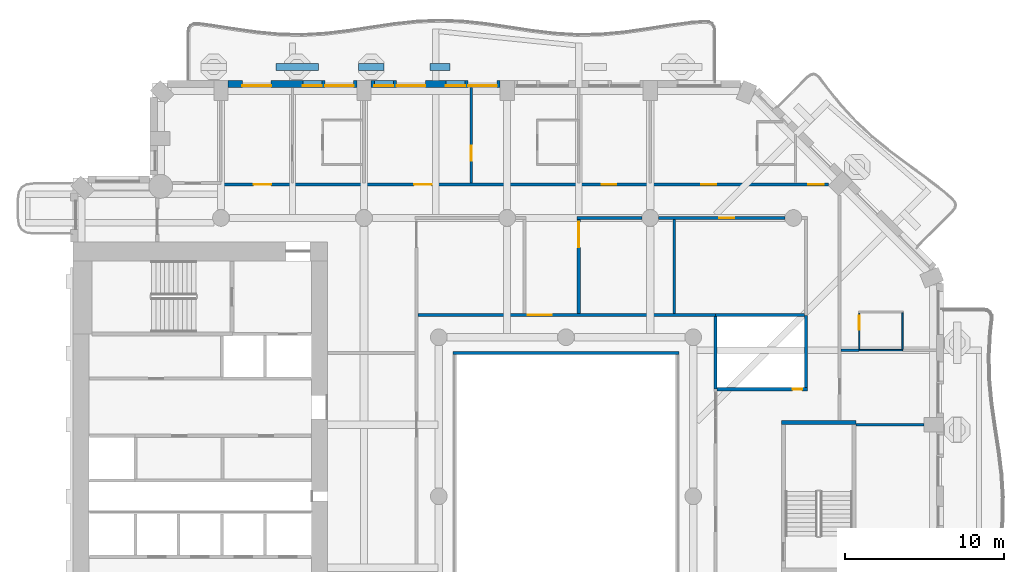
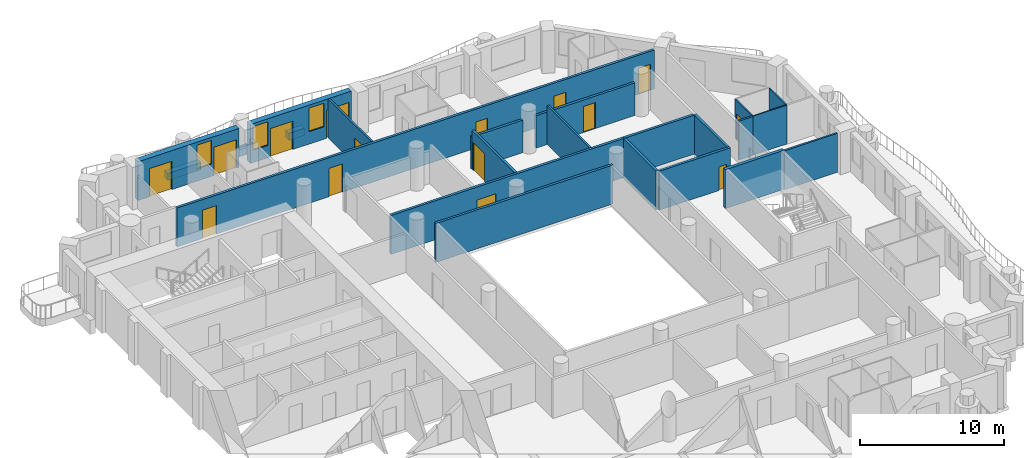
# One storey, part 8 of 19: 23 walls, 15 doors, 3 windows, 18 openings.
"""IFC4 building model written with IfcOpenShell, lengths in metres."""

from ifc_helpers import new_model, si_unit, direction, frame, frame_2d, origin, place, context, subcontext, project, spatial, rectangle, extrude, material, layer, layer_set, type_object, element, fill, save


model = new_model("IFC4")

# Units and contexts
model_context = context("Model", 3, precision=1e-05, world=origin(), true_north=direction((0.0, 1.0)))
body_context = subcontext(model_context, "Body", "Model", "MODEL_VIEW")
ifc_project = project(units=[si_unit("LENGTHUNIT", "METRE"), si_unit("AREAUNIT", "SQUARE_METRE"), si_unit("VOLUMEUNIT", "CUBIC_METRE"), si_unit("PLANEANGLEUNIT", "RADIAN"), si_unit("MASSUNIT", "GRAM", prefix="KILO")], contexts=[model_context])

# Site, building, storey
site_placement = place(None, origin())
site = spatial("IfcSite", under=ifc_project, at=site_placement, CompositionType="ELEMENT")
building_placement = place(site_placement, origin())
building = spatial("IfcBuilding", under=site, at=building_placement, Name="Cypress Arch Tower", CompositionType="ELEMENT")
storey_placement = place(building_placement, frame((0.0, 0.0, 141.89990234375)))
storey = spatial("IfcBuildingStorey", under=building, at=storey_placement, Name="L31", CompositionType="ELEMENT", Elevation=141.89990234375)

# Walls
ifc_material_1 = material(Name="Concrete C40/50, waterproofed", Category="concrete")
ifc_layer_1 = layer(ifc_material_1, 0.449951171875)
ifc_layer_set_1 = layer_set([ifc_layer_1], Name="Balcony planter wall PW450")
wall_type_1 = type_object("IfcWallType", Name="Balcony planter wall PW450", PredefinedType="SOLIDWALL", material=ifc_layer_set_1)
wall_1_placement = place(storey_placement, frame((-6.300048828125, 27.0, 0.0), z_axis=(0.0, 0.0, 1.0), x_axis=(-1.0, 0.0, 0.0)))
element("IfcWall", 1, at=wall_1_placement, inside=storey, type_object=wall_type_1, Name="Balcony planter wall L31-A08.3", PredefinedType="SOLIDWALL", context=body_context, shape_type="SweptSolid", body=[
    extrude(rectangle(XDim=1.25, YDim=0.449951171875, at=frame_2d((0.625, 0.0))), origin(), (0.0, 0.0, 1.0), 0.60009765625),
])
wall_2_placement = place(storey_placement, frame((-10.4375, 27.0, 0.0), z_axis=(0.0, 0.0, 1.0), x_axis=(-1.0, 0.0, 0.0)))
element("IfcWall", 2, at=wall_2_placement, inside=storey, type_object=wall_type_1, Name="Balcony planter wall L31-A08.4", PredefinedType="SOLIDWALL", context=body_context, shape_type="SweptSolid", body=[
    extrude(rectangle(XDim=1.612548828125, YDim=0.449951171875, at=frame_2d((0.80615234375, 0.0))), origin(), (0.0, 0.0, 1.0), 0.60009765625),
])
wall_3_placement = place(storey_placement, frame((-14.574951171875, 27.0, 0.0), z_axis=(0.0, 0.0, 1.0), x_axis=(-1.0, 0.0, 0.0)))
element("IfcWall", 3, at=wall_3_placement, inside=storey, type_object=wall_type_1, Name="Balcony planter wall L31-A08.5", PredefinedType="SOLIDWALL", context=body_context, shape_type="SweptSolid", body=[
    extrude(rectangle(XDim=2.675048828125, YDim=0.449951171875, at=frame_2d((1.33740234375, 0.0))), origin(), (0.0, 0.0, 1.0), 0.60009765625),
])

# Wall, openings, doors, windows
ifc_material_2 = material(Name="Brick (red buff blend)", Category="masonry")
ifc_layer_2 = layer(ifc_material_2, 0.449951171875)
ifc_layer_set_2 = layer_set([ifc_layer_2], Name="Brick pier and spandrel wall BW450")
wall_type_2 = type_object("IfcWallType", Name="Brick pier and spandrel wall BW450", PredefinedType="SOLIDWALL", material=ifc_layer_set_2)
wall_4_placement = place(storey_placement, frame((-3.14990234375, 25.925048828125, 0.0), z_axis=(0.0, 0.0, 1.0), x_axis=(-1.0, 0.0, 0.0)))
wall_4 = element("IfcWall", 4, at=wall_4_placement, inside=storey, type_object=wall_type_2, Name="Brick wall L31 A08.2", PredefinedType="SOLIDWALL", context=body_context, shape_type="SweptSolid", body=[
    extrude(rectangle(XDim=8.10009765625, YDim=0.449951171875, at=frame_2d((4.050048828125, 0.0))), origin(), (0.0, 0.0, 1.0), 3.300048828125),
])
opening_1_placement = place(wall_4_placement, frame((0.199951171875, 0.0, 0.0)))
opening_1 = element("IfcOpeningElement", 5, at=opening_1_placement, cuts=wall_4, Name="Opening D-L31-A08.2.1", PredefinedType="OPENING", context=body_context, shape_type="SweptSolid", body=[
    extrude(rectangle(XDim=1.800048828125, YDim=2.39990234375, at=frame_2d((0.89990234375, 1.199951171875))), frame((0.0, 0.23486328125, 0.0), z_axis=(0.0, -1.0, 0.0), x_axis=(1.0, 0.0, 0.0)), (0.0, 0.0, 1.0), 0.469970703125),
])
opening_2_placement = place(wall_4_placement, frame((2.199951171875, 0.0, 1.050048828125)))
opening_2 = element("IfcOpeningElement", 6, at=opening_2_placement, cuts=wall_4, Name="Opening W120HD", PredefinedType="OPENING", context=body_context, shape_type="SweptSolid", body=[
    extrude(rectangle(XDim=1.199951171875, YDim=2.0, at=frame_2d((0.60009765625, 1.0))), frame((0.0, 0.23486328125, 0.0), z_axis=(0.0, -1.0, 0.0), x_axis=(1.0, 0.0, 0.0)), (0.0, 0.0, 1.0), 0.469970703125),
])
opening_3_placement = place(wall_4_placement, frame((4.699951171875, 0.0, 0.0)))
opening_3 = element("IfcOpeningElement", 7, at=opening_3_placement, cuts=wall_4, Name="Opening D-L31-A08.2.2", PredefinedType="OPENING", context=body_context, shape_type="SweptSolid", body=[
    extrude(rectangle(XDim=1.800048828125, YDim=2.39990234375, at=frame_2d((0.89990234375, 1.199951171875))), frame((0.0, 0.23486328125, 0.0), z_axis=(0.0, -1.0, 0.0), x_axis=(1.0, 0.0, 0.0)), (0.0, 0.0, 1.0), 0.469970703125),
])
opening_4_placement = place(wall_4_placement, frame((6.699951171875, 0.0, 1.050048828125)))
opening_4 = element("IfcOpeningElement", 8, at=opening_4_placement, cuts=wall_4, Name="Opening W120HD", PredefinedType="OPENING", context=body_context, shape_type="SweptSolid", body=[
    extrude(rectangle(XDim=1.199951171875, YDim=2.0, at=frame_2d((0.60009765625, 1.0))), frame((0.0, 0.23486328125, 0.0), z_axis=(0.0, -1.0, 0.0), x_axis=(1.0, 0.0, 0.0)), (0.0, 0.0, 1.0), 0.469970703125),
])
ifc_material_3 = material(Name="Anodised aluminium, bronze finish, laminated low-emissivity double glazing, large-missile impact rated", Category="aluminium")
door_type_1 = type_object("IfcDoorType", Name="Balcony sliding door 1800x2400", OperationType="SLIDING_TO_LEFT", PredefinedType="DOOR", material=ifc_material_3)
door_1_placement = place(opening_1_placement, origin())
door_1 = element("IfcDoor", 9, at=door_1_placement, inside=storey, type_object=door_type_1, Name="Balcony door L31 A08.2.1", OperationType="SLIDING_TO_LEFT", OverallHeight=2.39990234375, OverallWidth=1.800048828125, PredefinedType="DOOR", context=body_context, shape_type="SweptSolid", body=[
    extrude(rectangle(XDim=1.800048828125, YDim=2.39990234375, at=frame_2d((0.89990234375, 1.199951171875))), frame((0.0, 0.1298828125, 0.0), z_axis=(0.0, -1.0, 0.0), x_axis=(1.0, 0.0, 0.0)), (0.0, 0.0, 1.0), 0.050048828125),
])
fill(opening_1, door_1)
door_2_placement = place(opening_3_placement, origin())
door_2 = element("IfcDoor", 10, at=door_2_placement, inside=storey, type_object=door_type_1, Name="Balcony door L31 A08.2.2", OperationType="SLIDING_TO_LEFT", OverallHeight=2.39990234375, OverallWidth=1.800048828125, PredefinedType="DOOR", context=body_context, shape_type="SweptSolid", body=[
    extrude(rectangle(XDim=1.800048828125, YDim=2.39990234375, at=frame_2d((0.89990234375, 1.199951171875))), frame((0.0, 0.1298828125, 0.0), z_axis=(0.0, -1.0, 0.0), x_axis=(1.0, 0.0, 0.0)), (0.0, 0.0, 1.0), 0.050048828125),
])
fill(opening_3, door_2)
ifc_material_4 = material(Name="Anodised aluminium, bronze finish, laminated low-emissivity double glazing, large-missile impact rated", Category="aluminium")
window_type = type_object("IfcWindowType", Name="Window Hotel 1200x2000 debris-rated", PartitioningType="SINGLE_PANEL", PredefinedType="WINDOW", material=ifc_material_4)
window_1_placement = place(opening_2_placement, origin())
window_1 = element("IfcWindow", 11, at=window_1_placement, inside=storey, type_object=window_type, Name="Window L31 A08.2.1", OverallHeight=2.0, OverallWidth=1.199951171875, PartitioningType="SINGLE_PANEL", PredefinedType="WINDOW", context=body_context, shape_type="SweptSolid", body=[
    extrude(rectangle(XDim=1.199951171875, YDim=2.0, at=frame_2d((0.60009765625, 1.0))), frame((0.0, 0.135009765625, 0.0), z_axis=(0.0, -1.0, 0.0), x_axis=(1.0, 0.0, 0.0)), (0.0, 0.0, 1.0), 0.06005859375),
])
fill(opening_2, window_1)
window_2_placement = place(opening_4_placement, origin())
window_2 = element("IfcWindow", 12, at=window_2_placement, inside=storey, type_object=window_type, Name="Window L31 A08.2.2", OverallHeight=2.0, OverallWidth=1.199951171875, PartitioningType="SINGLE_PANEL", PredefinedType="WINDOW", context=body_context, shape_type="SweptSolid", body=[
    extrude(rectangle(XDim=1.199951171875, YDim=2.0, at=frame_2d((0.60009765625, 1.0))), frame((0.0, 0.135009765625, 0.0), z_axis=(0.0, -1.0, 0.0), x_axis=(1.0, 0.0, 0.0)), (0.0, 0.0, 1.0), 0.06005859375),
])
fill(opening_4, window_2)

# Wall, openings, doors, window
wall_5_placement = place(storey_placement, frame((-12.14990234375, 25.925048828125, 0.0), z_axis=(0.0, 0.0, 1.0), x_axis=(-1.0, 0.0, 0.0)))
wall_5 = element("IfcWall", 13, at=wall_5_placement, inside=storey, type_object=wall_type_2, Name="Brick wall L31 A08.3", PredefinedType="SOLIDWALL", context=body_context, shape_type="SweptSolid", body=[
    extrude(rectangle(XDim=8.10009765625, YDim=0.449951171875, at=frame_2d((4.050048828125, 0.0))), origin(), (0.0, 0.0, 1.0), 3.300048828125),
])
opening_5_placement = place(wall_5_placement, frame((0.199951171875, 0.0, 0.0)))
opening_5 = element("IfcOpeningElement", 14, at=opening_5_placement, cuts=wall_5, Name="Opening D-L31-A08.3.1", PredefinedType="OPENING", context=body_context, shape_type="SweptSolid", body=[
    extrude(rectangle(XDim=1.800048828125, YDim=2.39990234375, at=frame_2d((0.89990234375, 1.199951171875))), frame((0.0, 0.23486328125, 0.0), z_axis=(0.0, -1.0, 0.0), x_axis=(1.0, 0.0, 0.0)), (0.0, 0.0, 1.0), 0.469970703125),
])
opening_6_placement = place(wall_5_placement, frame((2.199951171875, 0.0, 1.050048828125)))
opening_6 = element("IfcOpeningElement", 15, at=opening_6_placement, cuts=wall_5, Name="Opening W120HD", PredefinedType="OPENING", context=body_context, shape_type="SweptSolid", body=[
    extrude(rectangle(XDim=1.199951171875, YDim=2.0, at=frame_2d((0.60009765625, 1.0))), frame((0.0, 0.23486328125, 0.0), z_axis=(0.0, -1.0, 0.0), x_axis=(1.0, 0.0, 0.0)), (0.0, 0.0, 1.0), 0.469970703125),
])
opening_7_placement = place(wall_5_placement, frame((5.39990234375, 0.0, 0.0)))
opening_7 = element("IfcOpeningElement", 16, at=opening_7_placement, cuts=wall_5, Name="Opening D-L31-A08.3.2", PredefinedType="OPENING", context=body_context, shape_type="SweptSolid", body=[
    extrude(rectangle(XDim=1.800048828125, YDim=2.39990234375, at=frame_2d((0.89990234375, 1.199951171875))), frame((0.0, 0.23486328125, 0.0), z_axis=(0.0, -1.0, 0.0), x_axis=(1.0, 0.0, 0.0)), (0.0, 0.0, 1.0), 0.469970703125),
])
door_3_placement = place(opening_5_placement, origin())
door_3 = element("IfcDoor", 17, at=door_3_placement, inside=storey, type_object=door_type_1, Name="Balcony door L31 A08.3.1", OperationType="SLIDING_TO_LEFT", OverallHeight=2.39990234375, OverallWidth=1.800048828125, PredefinedType="DOOR", context=body_context, shape_type="SweptSolid", body=[
    extrude(rectangle(XDim=1.800048828125, YDim=2.39990234375, at=frame_2d((0.89990234375, 1.199951171875))), frame((0.0, 0.1298828125, 0.0), z_axis=(0.0, -1.0, 0.0), x_axis=(1.0, 0.0, 0.0)), (0.0, 0.0, 1.0), 0.050048828125),
])
fill(opening_5, door_3)
door_4_placement = place(opening_7_placement, origin())
door_4 = element("IfcDoor", 18, at=door_4_placement, inside=storey, type_object=door_type_1, Name="Balcony door L31 A08.3.2", OperationType="SLIDING_TO_LEFT", OverallHeight=2.39990234375, OverallWidth=1.800048828125, PredefinedType="DOOR", context=body_context, shape_type="SweptSolid", body=[
    extrude(rectangle(XDim=1.800048828125, YDim=2.39990234375, at=frame_2d((0.89990234375, 1.199951171875))), frame((0.0, 0.1298828125, 0.0), z_axis=(0.0, -1.0, 0.0), x_axis=(1.0, 0.0, 0.0)), (0.0, 0.0, 1.0), 0.050048828125),
])
fill(opening_7, door_4)
window_3_placement = place(opening_6_placement, origin())
window_3 = element("IfcWindow", 19, at=window_3_placement, inside=storey, type_object=window_type, Name="Window L31 A08.3.1", OverallHeight=2.0, OverallWidth=1.199951171875, PartitioningType="SINGLE_PANEL", PredefinedType="WINDOW", context=body_context, shape_type="SweptSolid", body=[
    extrude(rectangle(XDim=1.199951171875, YDim=2.0, at=frame_2d((0.60009765625, 1.0))), frame((0.0, 0.135009765625, 0.0), z_axis=(0.0, -1.0, 0.0), x_axis=(1.0, 0.0, 0.0)), (0.0, 0.0, 1.0), 0.06005859375),
])
fill(opening_6, window_3)

# Wall, openings, doors
ifc_material_5 = material(Name="Concrete blockwork, plastered, rated", Category="masonry")
ifc_layer_3 = layer(ifc_material_5, 0.199951171875)
ifc_layer_set_3 = layer_set([ifc_layer_3], Name="Corridor wall FW200")
wall_type_3 = type_object("IfcWallType", Name="Corridor wall FW200", PredefinedType="PARTITIONING", material=ifc_layer_set_3)
wall_6_placement = place(storey_placement, frame((-20.699951171875, 19.60009765625, 0.0), z_axis=(0.0, 0.0, 1.0), x_axis=(1.0, 0.0, 0.0)))
wall_6 = element("IfcWall", 20, at=wall_6_placement, inside=storey, type_object=wall_type_3, Name="Corridor wall", PredefinedType="PARTITIONING", context=body_context, shape_type="SweptSolid", body=[
    extrude(rectangle(XDim=38.213623046875, YDim=0.199951171875, at=frame_2d((19.10693359375, 0.0))), origin(), (0.0, 0.0, 1.0), 3.300048828125),
])
opening_8_placement = place(wall_6_placement, frame((23.949951171875, 0.0, 0.0)))
opening_8 = element("IfcOpeningElement", 21, at=opening_8_placement, cuts=wall_6, Name="Opening D05", PredefinedType="OPENING", context=body_context, shape_type="SweptSolid", body=[
    extrude(rectangle(XDim=0.89990234375, YDim=2.199951171875, at=frame_2d((0.449951171875, 1.10009765625))), frame((0.0, 0.10986328125, 0.0), z_axis=(0.0, -1.0, 0.0), x_axis=(1.0, 0.0, 0.0)), (0.0, 0.0, 1.0), 0.219970703125),
])
opening_9_placement = place(wall_6_placement, frame((2.050048828125, 0.0, 0.0)))
opening_9 = element("IfcOpeningElement", 22, at=opening_9_placement, cuts=wall_6, Name="Opening D01", PredefinedType="OPENING", context=body_context, shape_type="SweptSolid", body=[
    extrude(rectangle(XDim=1.10009765625, YDim=2.39990234375, at=frame_2d((0.550048828125, 1.199951171875))), frame((0.0, 0.10986328125, 0.0), z_axis=(0.0, -1.0, 0.0), x_axis=(1.0, 0.0, 0.0)), (0.0, 0.0, 1.0), 0.219970703125),
])
opening_10_placement = place(wall_6_placement, frame((12.14990234375, 0.0, 0.0)))
opening_10 = element("IfcOpeningElement", 23, at=opening_10_placement, cuts=wall_6, Name="Opening D01", PredefinedType="OPENING", context=body_context, shape_type="SweptSolid", body=[
    extrude(rectangle(XDim=1.10009765625, YDim=2.39990234375, at=frame_2d((0.550048828125, 1.199951171875))), frame((0.0, 0.10986328125, 0.0), z_axis=(0.0, -1.0, 0.0), x_axis=(1.0, 0.0, 0.0)), (0.0, 0.0, 1.0), 0.219970703125),
])
opening_11_placement = place(wall_6_placement, frame((30.199951171875, 0.0, 0.0)))
opening_11 = element("IfcOpeningElement", 24, at=opening_11_placement, cuts=wall_6, Name="Opening D02", PredefinedType="OPENING", context=body_context, shape_type="SweptSolid", body=[
    extrude(rectangle(XDim=0.949951171875, YDim=2.199951171875, at=frame_2d((0.47509765625, 1.10009765625))), frame((0.0, 0.10986328125, 0.0), z_axis=(0.0, -1.0, 0.0), x_axis=(1.0, 0.0, 0.0)), (0.0, 0.0, 1.0), 0.219970703125),
])
opening_12_placement = place(wall_6_placement, frame((36.949951171875, 0.0, 0.0)))
opening_12 = element("IfcOpeningElement", 25, at=opening_12_placement, cuts=wall_6, Name="Opening D02", PredefinedType="OPENING", context=body_context, shape_type="SweptSolid", body=[
    extrude(rectangle(XDim=0.949951171875, YDim=2.199951171875, at=frame_2d((0.47509765625, 1.10009765625))), frame((0.0, 0.10986328125, 0.0), z_axis=(0.0, -1.0, 0.0), x_axis=(1.0, 0.0, 0.0)), (0.0, 0.0, 1.0), 0.219970703125),
])
ifc_material_6 = material(Name="Timber flush door, fire resisting", Category="wood")
door_type_2 = type_object("IfcDoorType", Name="Room door D02 950x2200", OperationType="SINGLE_SWING_LEFT", PredefinedType="DOOR", material=ifc_material_6)
door_5_placement = place(opening_11_placement, origin())
door_5 = element("IfcDoor", 26, at=door_5_placement, inside=storey, type_object=door_type_2, Name="Room door", OperationType="SINGLE_SWING_RIGHT", OverallHeight=2.199951171875, OverallWidth=0.949951171875, PredefinedType="DOOR", context=body_context, shape_type="SweptSolid", body=[
    extrude(rectangle(XDim=0.949951171875, YDim=2.199951171875, at=frame_2d((0.47509765625, 1.10009765625))), frame((0.0, 0.02490234375, 0.0), z_axis=(0.0, -1.0, 0.0), x_axis=(1.0, 0.0, 0.0)), (0.0, 0.0, 1.0), 0.050048828125),
])
fill(opening_11, door_5)
door_6_placement = place(opening_12_placement, origin())
door_6 = element("IfcDoor", 27, at=door_6_placement, inside=storey, type_object=door_type_2, Name="Room door", OperationType="SINGLE_SWING_RIGHT", OverallHeight=2.199951171875, OverallWidth=0.949951171875, PredefinedType="DOOR", context=body_context, shape_type="SweptSolid", body=[
    extrude(rectangle(XDim=0.949951171875, YDim=2.199951171875, at=frame_2d((0.47509765625, 1.10009765625))), frame((0.0, 0.02490234375, 0.0), z_axis=(0.0, -1.0, 0.0), x_axis=(1.0, 0.0, 0.0)), (0.0, 0.0, 1.0), 0.050048828125),
])
fill(opening_12, door_6)
ifc_material_7 = material(Name="Timber flush door", Category="wood")
door_type_3 = type_object("IfcDoorType", Name="Service door D05 900x2200", OperationType="SINGLE_SWING_LEFT", PredefinedType="DOOR", material=ifc_material_7)
door_7_placement = place(opening_8_placement, origin())
door_7 = element("IfcDoor", 28, at=door_7_placement, inside=storey, type_object=door_type_3, Name="Service door", OperationType="SINGLE_SWING_LEFT", OverallHeight=2.199951171875, OverallWidth=0.89990234375, PredefinedType="DOOR", context=body_context, shape_type="SweptSolid", body=[
    extrude(rectangle(XDim=0.89990234375, YDim=2.199951171875, at=frame_2d((0.449951171875, 1.10009765625))), frame((0.0, 0.02490234375, 0.0), z_axis=(0.0, -1.0, 0.0), x_axis=(1.0, 0.0, 0.0)), (0.0, 0.0, 1.0), 0.050048828125),
])
fill(opening_8, door_7)
ifc_material_8 = material(Name="Timber flush door, fire resisting, self-closing", Category="wood")
door_type_4 = type_object("IfcDoorType", Name="Unit entrance door D01 1100x2400", OperationType="SINGLE_SWING_LEFT", PredefinedType="DOOR", material=ifc_material_8)
door_8_placement = place(opening_9_placement, origin())
door_8 = element("IfcDoor", 29, at=door_8_placement, inside=storey, type_object=door_type_4, Name="Unit entrance door", OperationType="SINGLE_SWING_RIGHT", OverallHeight=2.39990234375, OverallWidth=1.10009765625, PredefinedType="DOOR", context=body_context, shape_type="SweptSolid", body=[
    extrude(rectangle(XDim=1.10009765625, YDim=2.39990234375, at=frame_2d((0.550048828125, 1.199951171875))), frame((0.0, 0.02490234375, 0.0), z_axis=(0.0, -1.0, 0.0), x_axis=(1.0, 0.0, 0.0)), (0.0, 0.0, 1.0), 0.050048828125),
])
fill(opening_9, door_8)
door_9_placement = place(opening_10_placement, origin())
door_9 = element("IfcDoor", 30, at=door_9_placement, inside=storey, type_object=door_type_4, Name="Unit entrance door", OperationType="SINGLE_SWING_RIGHT", OverallHeight=2.39990234375, OverallWidth=1.10009765625, PredefinedType="DOOR", context=body_context, shape_type="SweptSolid", body=[
    extrude(rectangle(XDim=1.10009765625, YDim=2.39990234375, at=frame_2d((0.550048828125, 1.199951171875))), frame((0.0, 0.02490234375, 0.0), z_axis=(0.0, -1.0, 0.0), x_axis=(1.0, 0.0, 0.0)), (0.0, 0.0, 1.0), 0.050048828125),
])
fill(opening_10, door_9)

# Wall, opening, door
wall_7_placement = place(storey_placement, frame((-8.300048828125, 11.39990234375, 0.0), z_axis=(0.0, 0.0, 1.0), x_axis=(1.0, 0.0, 0.0)))
wall_7 = element("IfcWall", 31, at=wall_7_placement, inside=storey, type_object=wall_type_3, Name="Corridor wall", PredefinedType="PARTITIONING", context=body_context, shape_type="SweptSolid", body=[
    extrude(rectangle(XDim=18.699951171875, YDim=0.199951171875, at=frame_2d((9.35009765625, 0.0))), origin(), (0.0, 0.0, 1.0), 3.300048828125),
])
opening_13_placement = place(wall_7_placement, frame((6.89990234375, 0.0, 0.0)))
opening_13 = element("IfcOpeningElement", 32, at=opening_13_placement, cuts=wall_7, Name="Opening D04", PredefinedType="OPENING", context=body_context, shape_type="SweptSolid", body=[
    extrude(rectangle(XDim=1.5, YDim=2.199951171875, at=frame_2d((0.75, 1.10009765625))), frame((0.0, 0.10986328125, 0.0), z_axis=(0.0, -1.0, 0.0), x_axis=(1.0, 0.0, 0.0)), (0.0, 0.0, 1.0), 0.219970703125),
])
ifc_material_9 = material(Name="Timber double door", Category="wood")
door_type_5 = type_object("IfcDoorType", Name="Double door D04 1500x2200", OperationType="DOUBLE_DOOR_SINGLE_SWING", PredefinedType="DOOR", material=ifc_material_9)
door_10_placement = place(opening_13_placement, origin())
door_10 = element("IfcDoor", 33, at=door_10_placement, inside=storey, type_object=door_type_5, Name="Double door", OperationType="DOUBLE_DOOR_SINGLE_SWING", OverallHeight=2.199951171875, OverallWidth=1.5, PredefinedType="DOOR", context=body_context, shape_type="SweptSolid", body=[
    extrude(rectangle(XDim=1.5, YDim=2.199951171875, at=frame_2d((0.75, 1.10009765625))), frame((0.0, 0.02490234375, 0.0), z_axis=(0.0, -1.0, 0.0), x_axis=(1.0, 0.0, 0.0)), (0.0, 0.0, 1.0), 0.050048828125),
])
fill(opening_13, door_10)

# Wall
wall_8_placement = place(storey_placement, frame((-6.10009765625, 9.0, 0.0), z_axis=(0.0, 0.0, 1.0), x_axis=(1.0, 0.0, 0.0)))
element("IfcWall", 34, at=wall_8_placement, inside=storey, type_object=wall_type_3, Name="Corridor wall", PredefinedType="PARTITIONING", context=body_context, shape_type="SweptSolid", body=[
    extrude(rectangle(XDim=14.2001953125, YDim=0.199951171875, at=frame_2d((7.10009765625, 0.0))), origin(), (0.0, 0.0, 1.0), 3.300048828125),
])

# Wall, opening, door
wall_9_placement = place(storey_placement, frame((1.800048828125, 11.5, 0.0), z_axis=(0.0, 0.0, 1.0), x_axis=(0.0, 1.0, 0.0)))
wall_9 = element("IfcWall", 35, at=wall_9_placement, inside=storey, type_object=wall_type_3, Name="Corridor wall", PredefinedType="PARTITIONING", context=body_context, shape_type="SweptSolid", body=[
    extrude(rectangle(XDim=5.89990234375, YDim=0.199951171875, at=frame_2d((2.949951171875, 0.0))), origin(), (0.0, 0.0, 1.0), 3.300048828125),
])
opening_14_placement = place(wall_9_placement, frame((4.14990234375, 0.0, 0.0)))
opening_14 = element("IfcOpeningElement", 36, at=opening_14_placement, cuts=wall_9, Name="Opening D10", PredefinedType="OPENING", context=body_context, shape_type="SweptSolid", body=[
    extrude(rectangle(XDim=1.60009765625, YDim=2.39990234375, at=frame_2d((0.800048828125, 1.199951171875))), frame((0.0, 0.10986328125, 0.0), z_axis=(0.0, -1.0, 0.0), x_axis=(1.0, 0.0, 0.0)), (0.0, 0.0, 1.0), 0.219970703125),
])
ifc_material_10 = material(Name="Black aluminium glazed door", Category="aluminium")
door_type_6 = type_object("IfcDoorType", Name="Amenity door D10 1600x2400", OperationType="DOUBLE_DOOR_SINGLE_SWING", PredefinedType="DOOR", material=ifc_material_10)
door_11_placement = place(opening_14_placement, origin())
door_11 = element("IfcDoor", 37, at=door_11_placement, inside=storey, type_object=door_type_6, Name="Amenity door", OperationType="DOUBLE_DOOR_SINGLE_SWING", OverallHeight=2.39990234375, OverallWidth=1.60009765625, PredefinedType="DOOR", context=body_context, shape_type="SweptSolid", body=[
    extrude(rectangle(XDim=1.60009765625, YDim=2.39990234375, at=frame_2d((0.800048828125, 1.199951171875))), frame((0.0, 0.02490234375, 0.0), z_axis=(0.0, -1.0, 0.0), x_axis=(1.0, 0.0, 0.0)), (0.0, 0.0, 1.0), 0.050048828125),
])
fill(opening_14, door_11)

# Wall
wall_10_placement = place(storey_placement, frame((1.699951171875, 17.5, 0.0), z_axis=(0.0, 0.0, 1.0), x_axis=(1.0, 0.0, 0.0)))
element("IfcWall", 38, at=wall_10_placement, inside=storey, type_object=wall_type_3, Name="Corridor wall", PredefinedType="PARTITIONING", context=body_context, shape_type="SweptSolid", body=[
    extrude(rectangle(XDim=4.074951171875, YDim=0.199951171875, at=frame_2d((2.03759765625, 0.0))), origin(), (0.0, 0.0, 1.0), 2.75),
])

# Wall, opening, door
wall_11_placement = place(storey_placement, frame((6.824951171875, 17.5, 0.0), z_axis=(0.0, 0.0, 1.0), x_axis=(1.0, 0.0, 0.0)))
wall_11 = element("IfcWall", 39, at=wall_11_placement, inside=storey, type_object=wall_type_3, Name="Corridor wall", PredefinedType="PARTITIONING", context=body_context, shape_type="SweptSolid", body=[
    extrude(rectangle(XDim=7.949951171875, YDim=0.199951171875, at=frame_2d((3.97509765625, 0.0))), origin(), (0.0, 0.0, 1.0), 2.75),
])
opening_15_placement = place(wall_11_placement, frame((3.800048828125, 0.0, 0.0)))
opening_15 = element("IfcOpeningElement", 40, at=opening_15_placement, cuts=wall_11, Name="Opening D02", PredefinedType="OPENING", context=body_context, shape_type="SweptSolid", body=[
    extrude(rectangle(XDim=0.949951171875, YDim=2.199951171875, at=frame_2d((0.47509765625, 1.10009765625))), frame((0.0, 0.10986328125, 0.0), z_axis=(0.0, -1.0, 0.0), x_axis=(1.0, 0.0, 0.0)), (0.0, 0.0, 1.0), 0.219970703125),
])
door_12_placement = place(opening_15_placement, origin())
door_12 = element("IfcDoor", 41, at=door_12_placement, inside=storey, type_object=door_type_2, Name="Room door", OperationType="SINGLE_SWING_RIGHT", OverallHeight=2.199951171875, OverallWidth=0.949951171875, PredefinedType="DOOR", context=body_context, shape_type="SweptSolid", body=[
    extrude(rectangle(XDim=0.949951171875, YDim=2.199951171875, at=frame_2d((0.47509765625, 1.10009765625))), frame((0.0, 0.02490234375, 0.0), z_axis=(0.0, -1.0, 0.0), x_axis=(1.0, 0.0, 0.0)), (0.0, 0.0, 1.0), 0.050048828125),
])
fill(opening_15, door_12)

ifc_material_11 = material(Name="Blockwork, plastered both sides", Category="masonry")
ifc_layer_4 = layer(ifc_material_11, 0.14990234375)
ifc_layer_set_4 = layer_set([ifc_layer_4], Name="Partition PW150")
wall_type_4 = type_object("IfcWallType", Name="Partition PW150", PredefinedType="PARTITIONING", material=ifc_layer_set_4)
wall_12_placement = place(storey_placement, frame((-4.949951171875, 19.699951171875, 0.0), z_axis=(0.0, 0.0, 1.0), x_axis=(0.0, 1.0, 0.0)))
wall_12 = element("IfcWall", 42, at=wall_12_placement, inside=storey, type_object=wall_type_4, Name="Partition", PredefinedType="PARTITIONING", context=body_context, shape_type="SweptSolid", body=[
    extrude(rectangle(XDim=6.0, YDim=0.14990234375, at=frame_2d((3.0, 0.0))), origin(), (0.0, 0.0, 1.0), 3.300048828125),
])
opening_16_placement = place(wall_12_placement, frame((1.39990234375, 0.0, 0.0)))
opening_16 = element("IfcOpeningElement", 43, at=opening_16_placement, cuts=wall_12, Name="Opening D12", PredefinedType="OPENING", context=body_context, shape_type="SweptSolid", body=[
    extrude(rectangle(XDim=0.949951171875, YDim=2.199951171875, at=frame_2d((0.47509765625, 1.10009765625))), frame((0.0, 0.0849609375, 0.0), z_axis=(0.0, -1.0, 0.0), x_axis=(1.0, 0.0, 0.0)), (0.0, 0.0, 1.0), 0.169921875),
])
ifc_material_12 = material(Name="Timber flush door", Category="wood")
door_type_7 = type_object("IfcDoorType", Name="Room door D12 950x2200", OperationType="SINGLE_SWING_LEFT", PredefinedType="DOOR", material=ifc_material_12)
door_13_placement = place(opening_16_placement, origin())
door_13 = element("IfcDoor", 44, at=door_13_placement, inside=storey, type_object=door_type_7, Name="Room door", OperationType="SINGLE_SWING_LEFT", OverallHeight=2.199951171875, OverallWidth=0.949951171875, PredefinedType="DOOR", context=body_context, shape_type="SweptSolid", body=[
    extrude(rectangle(XDim=0.949951171875, YDim=2.199951171875, at=frame_2d((0.47509765625, 1.10009765625))), frame((0.0, 0.02490234375, 0.0), z_axis=(0.0, -1.0, 0.0), x_axis=(1.0, 0.0, 0.0)), (0.0, 0.0, 1.0), 0.050048828125),
])
fill(opening_16, door_13)

# Walls
wall_13_placement = place(storey_placement, frame((7.800048828125, 11.5, 0.0), z_axis=(0.0, 0.0, 1.0), x_axis=(0.0, 1.0, 0.0)))
element("IfcWall", 45, at=wall_13_placement, inside=storey, type_object=wall_type_4, Name="Partition", PredefinedType="PARTITIONING", context=body_context, shape_type="SweptSolid", body=[
    extrude(rectangle(XDim=5.89990234375, YDim=0.14990234375, at=frame_2d((2.949951171875, 0.0))), origin(), (0.0, 0.0, 1.0), 3.300048828125),
])
wall_14_placement = place(storey_placement, frame((18.300048828125, 9.18994140625, 0.0), z_axis=(0.0, 0.0, 1.0), x_axis=(1.0, 0.0, 0.0)))
element("IfcWall", 46, at=wall_14_placement, inside=storey, type_object=wall_type_4, Name="Partition", PredefinedType="PARTITIONING", context=body_context, shape_type="SweptSolid", body=[
    extrude(rectangle(XDim=1.1298828125, YDim=0.14990234375, at=frame_2d((0.56494140625, 0.0))), origin(), (0.0, 0.0, 1.0), 3.300048828125),
])
wall_15_placement = place(storey_placement, frame((19.25, 4.5, 0.0), z_axis=(0.0, 0.0, 1.0), x_axis=(1.0, 0.0, 0.0)))
element("IfcWall", 47, at=wall_15_placement, inside=storey, type_object=wall_type_4, Name="Partition", PredefinedType="PARTITIONING", context=body_context, shape_type="SweptSolid", body=[
    extrude(rectangle(XDim=4.25, YDim=0.14990234375, at=frame_2d((2.125, 0.0))), origin(), (0.0, 0.0, 1.0), 3.300048828125),
])
ifc_material_13 = material(Name="Reinforced blockwork, plastered, rated", Category="masonry")
ifc_layer_5 = layer(ifc_material_13, 0.199951171875)
ifc_layer_set_5 = layer_set([ifc_layer_5], Name="Plant and riser wall PL200")
wall_type_5 = type_object("IfcWallType", Name="Plant and riser wall PL200", PredefinedType="PARTITIONING", material=ifc_layer_set_5)
wall_16_placement = place(storey_placement, frame((10.39990234375, 11.39990234375, 0.0), z_axis=(0.0, 0.0, 1.0), x_axis=(1.0, 0.0, 0.0)))
element("IfcWall", 48, at=wall_16_placement, inside=storey, type_object=wall_type_5, Name="Plant and riser wall", PredefinedType="PARTITIONING", context=body_context, shape_type="SweptSolid", body=[
    extrude(rectangle(XDim=5.60009765625, YDim=0.199951171875, at=frame_2d((2.800048828125, 0.0))), origin(), (0.0, 0.0, 1.0), 3.300048828125),
])
wall_17_placement = place(storey_placement, frame((10.39990234375, 6.7451171875, 0.0), z_axis=(0.0, 0.0, 1.0), x_axis=(0.0, 1.0, 0.0)))
element("IfcWall", 49, at=wall_17_placement, inside=storey, type_object=wall_type_5, Name="Plant and riser wall", PredefinedType="PARTITIONING", context=body_context, shape_type="SweptSolid", body=[
    extrude(rectangle(XDim=4.554931640625, YDim=0.199951171875, at=frame_2d((2.27734375, 0.0))), origin(), (0.0, 0.0, 1.0), 3.300048828125),
])

# Wall, opening, door
wall_18_placement = place(storey_placement, frame((10.5, 6.72509765625, 0.0), z_axis=(0.0, 0.0, 1.0), x_axis=(1.0, 0.0, 0.0)))
wall_18 = element("IfcWall", 50, at=wall_18_placement, inside=storey, type_object=wall_type_5, Name="Plant and riser wall", PredefinedType="PARTITIONING", context=body_context, shape_type="SweptSolid", body=[
    extrude(rectangle(XDim=5.699951171875, YDim=0.199951171875, at=frame_2d((2.85009765625, 0.0))), origin(), (0.0, 0.0, 1.0), 3.300048828125),
])
opening_17_placement = place(wall_18_placement, frame((4.75, 0.0, 0.0)))
opening_17 = element("IfcOpeningElement", 51, at=opening_17_placement, cuts=wall_18, Name="Opening D08", PredefinedType="OPENING", context=body_context, shape_type="SweptSolid", body=[
    extrude(rectangle(XDim=0.60009765625, YDim=2.0, at=frame_2d((0.300048828125, 1.0))), frame((0.0, 0.10986328125, 0.0), z_axis=(0.0, -1.0, 0.0), x_axis=(1.0, 0.0, 0.0)), (0.0, 0.0, 1.0), 0.219970703125),
])
ifc_material_14 = material(Name="Steel access door, fire resisting", Category="steel")
door_type_8 = type_object("IfcDoorType", Name="Riser access door D08 600x2000", OperationType="SINGLE_SWING_LEFT", PredefinedType="DOOR", material=ifc_material_14)
door_14_placement = place(opening_17_placement, origin())
door_14 = element("IfcDoor", 52, at=door_14_placement, inside=storey, type_object=door_type_8, Name="Riser access door", OperationType="SINGLE_SWING_RIGHT", OverallHeight=2.0, OverallWidth=0.60009765625, PredefinedType="DOOR", context=body_context, shape_type="SweptSolid", body=[
    extrude(rectangle(XDim=0.60009765625, YDim=2.0, at=frame_2d((0.300048828125, 1.0))), frame((0.0, 0.02490234375, 0.0), z_axis=(0.0, -1.0, 0.0), x_axis=(1.0, 0.0, 0.0)), (0.0, 0.0, 1.0), 0.050048828125),
])
fill(opening_17, door_14)

# Walls
wall_19_placement = place(storey_placement, frame((16.10009765625, 6.824951171875, 0.0), z_axis=(0.0, 0.0, 1.0), x_axis=(0.0, 1.0, 0.0)))
element("IfcWall", 53, at=wall_19_placement, inside=storey, type_object=wall_type_5, Name="Plant and riser wall", PredefinedType="PARTITIONING", context=body_context, shape_type="SweptSolid", body=[
    extrude(rectangle(XDim=4.554931640625, YDim=0.199951171875, at=frame_2d((2.27734375, 0.0))), origin(), (0.0, 0.0, 1.0), 3.300048828125),
])
ifc_material_15 = material(Name="Concrete C50/60", Category="concrete")
ifc_layer_6 = layer(ifc_material_15, 0.25)
ifc_layer_set_6 = layer_set([ifc_layer_6], Name="Stair enclosure wall SW250")
wall_type_6 = type_object("IfcWallType", Name="Stair enclosure wall SW250", PredefinedType="SHEAR", material=ifc_layer_set_6)
wall_20_placement = place(storey_placement, frame((14.550048828125, 4.625, 0.0), z_axis=(0.0, 0.0, 1.0), x_axis=(1.0, 0.0, 0.0)))
element("IfcWall", 54, at=wall_20_placement, inside=storey, type_object=wall_type_6, Name="Stair enclosure wall", PredefinedType="SHEAR", context=body_context, shape_type="SweptSolid", body=[
    extrude(rectangle(XDim=4.699951171875, YDim=0.25, at=frame_2d((2.35009765625, 0.0))), origin(), (0.0, 0.0, 1.0), 3.300048828125),
])
ifc_material_16 = material(Name="Moisture resistant board on steel studs, tiled", Category="steel")
ifc_layer_7 = layer(ifc_material_16, 0.10009765625)
ifc_layer_set_7 = layer_set([ifc_layer_7], Name="Wet wall PW100")
wall_type_7 = type_object("IfcWallType", Name="Wet wall PW100", PredefinedType="PARTITIONING", material=ifc_layer_set_7)
wall_21_placement = place(storey_placement, frame((19.429931640625, 9.18994140625, 0.0), z_axis=(0.0, 0.0, 1.0), x_axis=(1.0, 0.0, 0.0)))
element("IfcWall", 55, at=wall_21_placement, inside=storey, type_object=wall_type_7, Name="Wet wall", PredefinedType="PARTITIONING", context=body_context, shape_type="SweptSolid", body=[
    extrude(rectangle(XDim=2.739990234375, YDim=0.10009765625, at=frame_2d((1.3701171875, 0.0))), origin(), (0.0, 0.0, 1.0), 3.300048828125),
])

# Wall, opening, door
wall_22_placement = place(storey_placement, frame((19.449951171875, 9.264892578125, 0.0), z_axis=(0.0, 0.0, 1.0), x_axis=(0.0, 1.0, 0.0)))
wall_22 = element("IfcWall", 56, at=wall_22_placement, inside=storey, type_object=wall_type_7, Name="Wet wall", PredefinedType="PARTITIONING", context=body_context, shape_type="SweptSolid", body=[
    extrude(rectangle(XDim=2.27099609375, YDim=0.10009765625, at=frame_2d((1.135498046875, 0.0))), origin(), (0.0, 0.0, 1.0), 3.300048828125),
])
opening_18_placement = place(wall_22_placement, frame((1.199951171875, 0.0, 0.0)))
opening_18 = element("IfcOpeningElement", 57, at=opening_18_placement, cuts=wall_22, Name="Opening D03", PredefinedType="OPENING", context=body_context, shape_type="SweptSolid", body=[
    extrude(rectangle(XDim=0.89990234375, YDim=2.199951171875, at=frame_2d((0.449951171875, 1.10009765625))), frame((0.0, 0.06005859375, 0.0), z_axis=(0.0, -1.0, 0.0), x_axis=(1.0, 0.0, 0.0)), (0.0, 0.0, 1.0), 0.1201171875),
])
ifc_material_17 = material(Name="Timber flush door, moisture resistant", Category="wood")
door_type_9 = type_object("IfcDoorType", Name="Bathroom door D03 900x2200", OperationType="SINGLE_SWING_LEFT", PredefinedType="DOOR", material=ifc_material_17)
door_15_placement = place(opening_18_placement, origin())
door_15 = element("IfcDoor", 58, at=door_15_placement, inside=storey, type_object=door_type_9, Name="Bathroom door", OperationType="SINGLE_SWING_LEFT", OverallHeight=2.199951171875, OverallWidth=0.89990234375, PredefinedType="DOOR", context=body_context, shape_type="SweptSolid", body=[
    extrude(rectangle(XDim=0.89990234375, YDim=2.199951171875, at=frame_2d((0.449951171875, 1.10009765625))), frame((0.0, 0.02490234375, 0.0), z_axis=(0.0, -1.0, 0.0), x_axis=(1.0, 0.0, 0.0)), (0.0, 0.0, 1.0), 0.050048828125),
])
fill(opening_18, door_15)

# Wall
wall_23_placement = place(storey_placement, frame((22.14990234375, 9.239990234375, 0.0), z_axis=(0.0, 0.0, 1.0), x_axis=(0.0, 1.0, 0.0)))
element("IfcWall", 59, at=wall_23_placement, inside=storey, type_object=wall_type_7, Name="Wet wall", PredefinedType="PARTITIONING", context=body_context, shape_type="SweptSolid", body=[
    extrude(rectangle(XDim=2.2958984375, YDim=0.10009765625, at=frame_2d((1.14794921875, 0.0))), origin(), (0.0, 0.0, 1.0), 3.300048828125),
])

save(model, "model.ifc")
